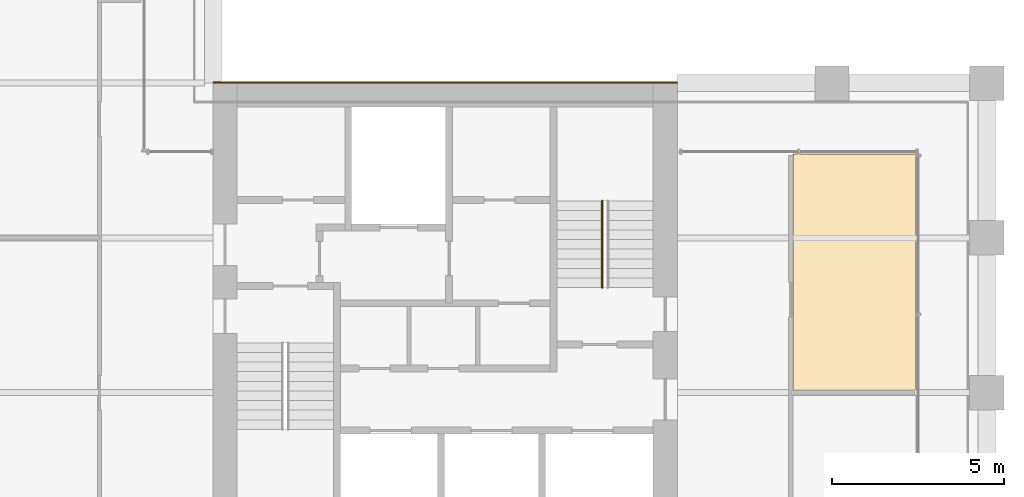
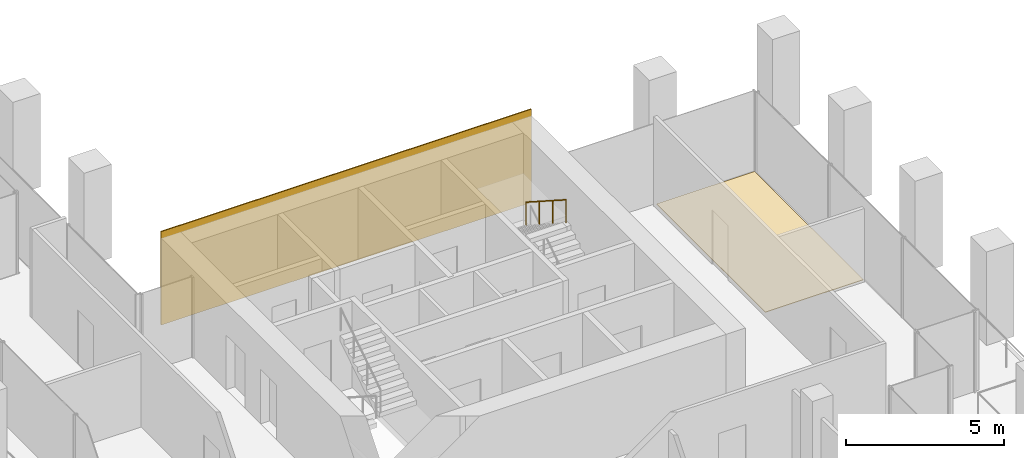
# One storey, part 46 of 46: 2 coverings, 1 railing.
"""IFC4 building model written with IfcOpenShell, lengths in metres."""

from ifc_helpers import new_model, si_unit, direction, frame, origin, origin_2d, place, context, subcontext, project, spatial, polyline, rectangle, circle, outline, extrude, source, transform, mapped, material, layer, layer_set, type_object, element, save


model = new_model("IFC4")

# Units and contexts
model_context = context("Model", 3, precision=1e-05, world=origin(), true_north=direction((0.0, 1.0)))
body_context = subcontext(model_context, "Body", "Model", "MODEL_VIEW")
ifc_project = project(units=[si_unit("LENGTHUNIT", "METRE"), si_unit("AREAUNIT", "SQUARE_METRE"), si_unit("VOLUMEUNIT", "CUBIC_METRE"), si_unit("PLANEANGLEUNIT", "RADIAN"), si_unit("MASSUNIT", "GRAM", prefix="KILO")], contexts=[model_context])

# Site, building, storey
site_placement = place(None, origin())
site = spatial("IfcSite", under=ifc_project, at=site_placement, CompositionType="ELEMENT")
building_placement = place(site_placement, origin())
building = spatial("IfcBuilding", under=site, at=building_placement, Name="Altepetl Exchange Towers", CompositionType="ELEMENT")
storey_placement = place(building_placement, frame((0.0, 0.0, 120.800048828125)))
storey = spatial("IfcBuildingStorey", under=building, at=storey_placement, Name="L29", CompositionType="ELEMENT", Elevation=120.800048828125)

# Coverings
ifc_material_1 = material(Name="Carpet tile")
ifc_layer_1 = layer(ifc_material_1, 0.02001953125)
ifc_layer_set_1 = layer_set([ifc_layer_1], Name="Carpet tile")
covering_type_1 = type_object("IfcCoveringType", Name="Carpet tile floor", PredefinedType="FLOORING", material=ifc_layer_set_1)
covering_1_placement = place(storey_placement, origin())
element("IfcCovering", 1, at=covering_1_placement, inside=storey, type_object=covering_type_1, Name="Meeting room floor finish B29.06", PredefinedType="FLOORING", context=body_context, shape_type="SweptSolid", body=[
    extrude(outline(polyline([(120.362548828125, 47.4375), (120.362548828125, 40.5625), (123.9375, 40.5625), (123.9375, 47.4375), (120.362548828125, 47.4375)])), origin(), (0.0, 0.0, 1.0), 0.02001953125),
])
ifc_material_2 = material(Name="Cantera limestone cladding", Category="masonry")
ifc_layer_2 = layer(ifc_material_2, 0.0400390625)
ifc_layer_set_2 = layer_set([ifc_layer_2], Name="Cantera limestone cladding")
covering_type_2 = type_object("IfcCoveringType", Name="Stone panel 40 cantera", PredefinedType="CLADDING", material=ifc_layer_set_2)
covering_2_placement = place(storey_placement, frame((110.25, 49.52001953125, 0.0), z_axis=(0.0, 0.0, 1.0), x_axis=(-1.0, 0.0, 0.0)))
element("IfcCovering", 2, at=covering_2_placement, inside=storey, type_object=covering_type_2, Name="Stone cladding panel", PredefinedType="CLADDING", context=body_context, shape_type="SweptSolid", body=[
    extrude(rectangle(XDim=13.5, YDim=0.0400390625, at=origin_2d()), origin(), (0.0, 0.0, 1.0), 3.60009765625),
])

# Railing
ifc_material_3 = material(Name="Steel", Category="steel")
railing_type = type_object("IfcRailingType", Name="Stair handrail 50 steel tube", PredefinedType="HANDRAIL", material=ifc_material_3)
shared_shape = source(origin(), body_context, "Body", "SweptSolid", [
    extrude(circle(Radius=0.02099609375, at=origin_2d()), origin(), (0.0, 0.0, 1.0), 0.851806640625),
])
railing_placement = place(storey_placement, frame((114.820068359375, 46.070068359375, 1.97998046875)))
element("IfcRailing", 3, at=railing_placement, inside=storey, type_object=railing_type, Name="Stair handrail", PredefinedType="HANDRAIL", context=body_context, shape_type="SweptSolid", body=[
    extrude(circle(Radius=0.02392578125, at=origin_2d()), frame((0.0, 0.0, 0.8759765625), z_axis=(0.0, -0.841199657755, 0.540724639528), x_axis=(1.0, 0.0, 0.0)), (0.0, 0.0, 1.0), 2.995849609375),
    mapped(shared_shape, transform((0.0, 0.0, 0.0))),
    mapped(shared_shape, transform((0.0, -0.840087890625, 0.5400390625))),
    mapped(shared_shape, transform((0.0, -1.679931640625, 1.079833984375))),
    mapped(shared_shape, transform((0.0, -2.52001953125, 1.619873046875))),
])

save(model, "model.ifc")
